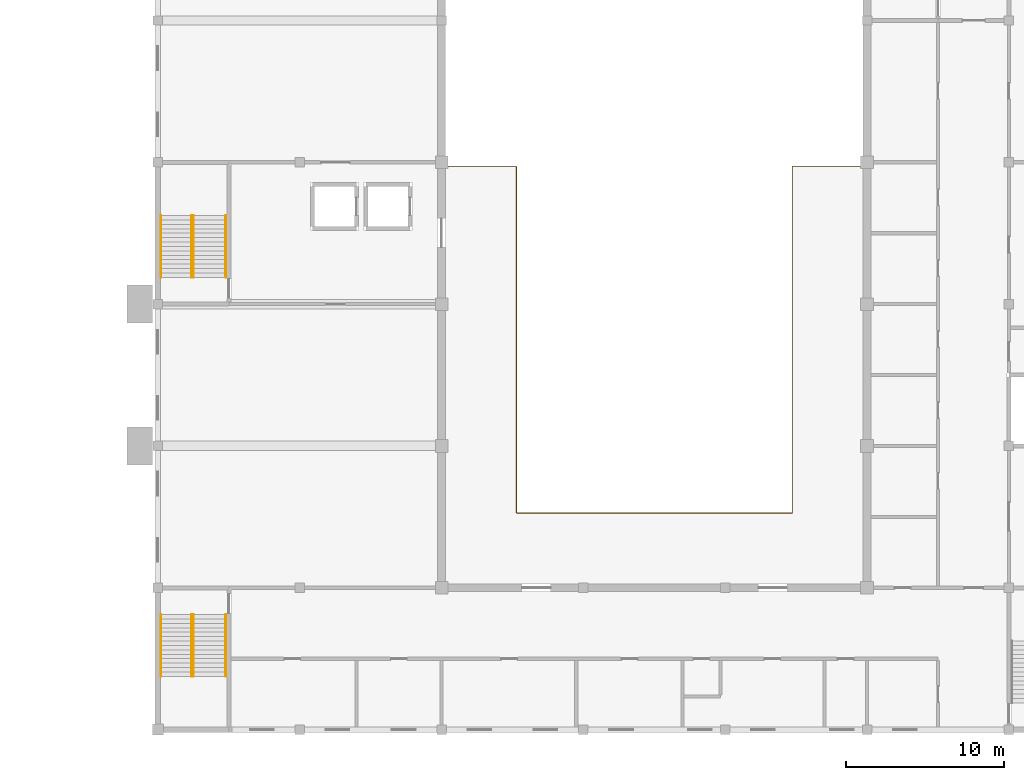
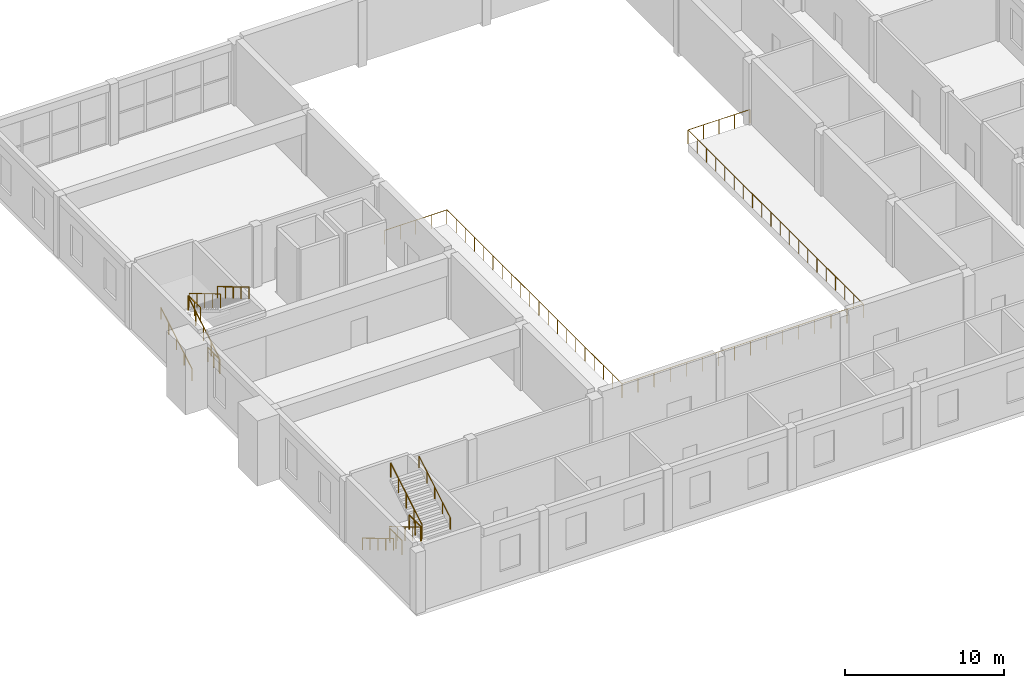
# One storey, part 31 of 34: 13 railings.
"""IFC4 building model written with IfcOpenShell, lengths in metres."""

from ifc_helpers import new_model, si_unit, direction, frame, origin, origin_2d, place, context, subcontext, project, spatial, circle, extrude, material, type_object, element, save


model = new_model("IFC4")

# Units and contexts
model_context = context("Model", 3, precision=1e-05, world=origin(), true_north=direction((0.0, 1.0)))
body_context = subcontext(model_context, "Body", "Model", "MODEL_VIEW")
ifc_project = project(units=[si_unit("LENGTHUNIT", "METRE"), si_unit("AREAUNIT", "SQUARE_METRE"), si_unit("VOLUMEUNIT", "CUBIC_METRE"), si_unit("PLANEANGLEUNIT", "RADIAN"), si_unit("MASSUNIT", "GRAM", prefix="KILO")], contexts=[model_context])

# Site, building, storey
site_placement = place(None, origin())
site = spatial("IfcSite", under=ifc_project, at=site_placement, CompositionType="ELEMENT")
building_placement = place(site_placement, origin())
building = spatial("IfcBuilding", under=site, at=building_placement, Name="Firuza Court", CompositionType="ELEMENT")
storey_placement = place(building_placement, frame((0.0, 0.0, 14.0)))
storey = spatial("IfcBuildingStorey", under=building, at=storey_placement, Name="L02", CompositionType="ELEMENT", Elevation=14.0)

# Railings
ifc_material_1 = material(Name="Steel S355", Category="steel")
railing_type_1 = type_object("IfcRailingType", Name="HALL HANDRAIL 900", PredefinedType="HANDRAIL", material=ifc_material_1)
railing_1_placement = place(storey_placement, frame((90.18994140625, -1.699951171875, 0.166748046875)))
element("IfcRailing", 1, at=railing_1_placement, inside=storey, type_object=railing_type_1, Name="Stair H1 flight 1 handrail L02", PredefinedType="HANDRAIL", context=body_context, shape_type="SweptSolid", body=[
    extrude(circle(Radius=0.02099609375, at=origin_2d()), frame((0.0, 0.0, 0.87890625), z_axis=(0.0, -0.859310244771, 0.511454693235), x_axis=(1.0, 0.0, 0.0)), (0.0, 0.0, 1.0), 4.56201171875),
    extrude(circle(Radius=0.02001953125, at=origin_2d()), origin(), (0.0, 0.0, 1.0), 0.85791015625),
    extrude(circle(Radius=0.02001953125, at=origin_2d()), frame((0.0, -0.97998046875, 0.583251953125)), (0.0, 0.0, 1.0), 0.85791015625),
    extrude(circle(Radius=0.02001953125, at=origin_2d()), frame((0.0, -1.9599609375, 1.16650390625)), (0.0, 0.0, 1.0), 0.85791015625),
    extrude(circle(Radius=0.02001953125, at=origin_2d()), frame((0.0, -2.940185546875, 1.75)), (0.0, 0.0, 1.0), 0.85791015625),
    extrude(circle(Radius=0.02001953125, at=origin_2d()), frame((0.0, -3.920166015625, 2.333251953125)), (0.0, 0.0, 1.0), 0.85791015625),
])
for number, where, name in (
    (2, (94.31005859375, -5.6201171875, 2.666748046875), "Stair H1 flight 2 handrail L02"),
    (3, (90.18994140625, 19.699951171875, 0.166748046875), "Stair H3 flight 1 handrail L02"),
):
    element("IfcRailing", number, at=place(storey_placement, frame(where)), inside=storey, type_object=railing_type_1, Name=name, PredefinedType="HANDRAIL", context=body_context, shape_type="SweptSolid", body=[
        extrude(circle(Radius=0.02099609375, at=origin_2d()), frame((0.0, 0.0, 0.87890625), z_axis=(0.0, 0.859310244771, 0.511454693235), x_axis=(-1.0, 0.0, 0.0)), (0.0, 0.0, 1.0), 4.56201171875),
        extrude(circle(Radius=0.02001953125, at=origin_2d()), origin(), (0.0, 0.0, 1.0), 0.85791015625),
        extrude(circle(Radius=0.02001953125, at=origin_2d()), frame((0.0, 0.97998046875, 0.583251953125)), (0.0, 0.0, 1.0), 0.85791015625),
        extrude(circle(Radius=0.02001953125, at=origin_2d()), frame((0.0, 1.9599609375, 1.16650390625)), (0.0, 0.0, 1.0), 0.85791015625),
        extrude(circle(Radius=0.02001953125, at=origin_2d()), frame((0.0, 2.940185546875, 1.75)), (0.0, 0.0, 1.0), 0.85791015625),
        extrude(circle(Radius=0.02001953125, at=origin_2d()), frame((0.0, 3.920166015625, 2.333251953125)), (0.0, 0.0, 1.0), 0.85791015625),
    ])
railing_2_placement = place(storey_placement, frame((94.31005859375, 23.6201171875, 2.666748046875)))
element("IfcRailing", 4, at=railing_2_placement, inside=storey, type_object=railing_type_1, Name="Stair H3 flight 2 handrail L02", PredefinedType="HANDRAIL", context=body_context, shape_type="SweptSolid", body=[
    extrude(circle(Radius=0.02099609375, at=origin_2d()), frame((0.0, 0.0, 0.87890625), z_axis=(0.0, -0.859310244771, 0.511454693235), x_axis=(1.0, 0.0, 0.0)), (0.0, 0.0, 1.0), 4.56201171875),
    extrude(circle(Radius=0.02001953125, at=origin_2d()), origin(), (0.0, 0.0, 1.0), 0.85791015625),
    extrude(circle(Radius=0.02001953125, at=origin_2d()), frame((0.0, -0.97998046875, 0.583251953125)), (0.0, 0.0, 1.0), 0.85791015625),
    extrude(circle(Radius=0.02001953125, at=origin_2d()), frame((0.0, -1.9599609375, 1.16650390625)), (0.0, 0.0, 1.0), 0.85791015625),
    extrude(circle(Radius=0.02001953125, at=origin_2d()), frame((0.0, -2.940185546875, 1.75)), (0.0, 0.0, 1.0), 0.85791015625),
    extrude(circle(Radius=0.02001953125, at=origin_2d()), frame((0.0, -3.920166015625, 2.333251953125)), (0.0, 0.0, 1.0), 0.85791015625),
])
ifc_material_2 = material(Name="Steel S355", Category="steel")
railing_type_2 = type_object("IfcRailingType", Name="HALL RAILING 1100", PredefinedType="GUARDRAIL", material=ifc_material_2)
railing_3_placement = place(storey_placement, frame((92.14990234375, -1.699951171875, 0.166748046875)))
element("IfcRailing", 5, at=railing_3_placement, inside=storey, type_object=railing_type_2, Name="Stair H1 flight 1 guard L02", PredefinedType="GUARDRAIL", context=body_context, shape_type="SweptSolid", body=[
    extrude(circle(Radius=0.02392578125, at=origin_2d()), frame((0.0, 0.0, 1.076171875), z_axis=(0.0, -0.859310244771, 0.511454693235), x_axis=(1.0, 0.0, 0.0)), (0.0, 0.0, 1.0), 4.56201171875),
    extrude(circle(Radius=0.02099609375, at=origin_2d()), origin(), (0.0, 0.0, 1.0), 1.052001953125),
    extrude(circle(Radius=0.02099609375, at=origin_2d()), frame((0.0, -0.97998046875, 0.583251953125)), (0.0, 0.0, 1.0), 1.052001953125),
    extrude(circle(Radius=0.02099609375, at=origin_2d()), frame((0.0, -1.9599609375, 1.16650390625)), (0.0, 0.0, 1.0), 1.052001953125),
    extrude(circle(Radius=0.02099609375, at=origin_2d()), frame((0.0, -2.940185546875, 1.75)), (0.0, 0.0, 1.0), 1.052001953125),
    extrude(circle(Radius=0.02099609375, at=origin_2d()), frame((0.0, -3.920166015625, 2.333251953125)), (0.0, 0.0, 1.0), 1.052001953125),
])
railing_4_placement = place(storey_placement, frame((92.25, -5.6201171875, 2.666748046875)))
element("IfcRailing", 6, at=railing_4_placement, inside=storey, type_object=railing_type_2, Name="Stair H1 flight 2 guard L02", PredefinedType="GUARDRAIL", context=body_context, shape_type="SweptSolid", body=[
    extrude(circle(Radius=0.02392578125, at=origin_2d()), frame((0.0, 0.0, 1.076171875), z_axis=(0.0, 0.859310244771, 0.511454693235), x_axis=(-1.0, 0.0, 0.0)), (0.0, 0.0, 1.0), 4.56201171875),
    extrude(circle(Radius=0.02099609375, at=origin_2d()), origin(), (0.0, 0.0, 1.0), 1.052001953125),
    extrude(circle(Radius=0.02099609375, at=origin_2d()), frame((0.0, 0.97998046875, 0.583251953125)), (0.0, 0.0, 1.0), 1.052001953125),
    extrude(circle(Radius=0.02099609375, at=origin_2d()), frame((0.0, 1.9599609375, 1.16650390625)), (0.0, 0.0, 1.0), 1.052001953125),
    extrude(circle(Radius=0.02099609375, at=origin_2d()), frame((0.0, 2.940185546875, 1.75)), (0.0, 0.0, 1.0), 1.052001953125),
    extrude(circle(Radius=0.02099609375, at=origin_2d()), frame((0.0, 3.920166015625, 2.333251953125)), (0.0, 0.0, 1.0), 1.052001953125),
])
railing_5_placement = place(storey_placement, frame((92.199951171875, -4.1201171875, 2.5)))
element("IfcRailing", 7, at=railing_5_placement, inside=storey, type_object=railing_type_2, Name="Stair H1 landing guard 1 L02", PredefinedType="GUARDRAIL", context=body_context, shape_type="SweptSolid", body=[
    extrude(circle(Radius=0.02392578125, at=origin_2d()), frame((0.0, 0.0, 1.076171875), z_axis=(0.0, -1.0, 0.0), x_axis=(1.0, 0.0, 0.0)), (0.0, 0.0, 1.0), 1.5),
    extrude(circle(Radius=0.02099609375, at=origin_2d()), origin(), (0.0, 0.0, 1.0), 1.052001953125),
    extrude(circle(Radius=0.02099609375, at=origin_2d()), frame((0.0, -0.75, 0.0)), (0.0, 0.0, 1.0), 1.052001953125),
    extrude(circle(Radius=0.02099609375, at=origin_2d()), frame((0.0, -1.5, 0.0)), (0.0, 0.0, 1.0), 1.052001953125),
])
railing_6_placement = place(storey_placement, frame((92.14990234375, 19.699951171875, 0.166748046875)))
element("IfcRailing", 8, at=railing_6_placement, inside=storey, type_object=railing_type_2, Name="Stair H3 flight 1 guard L02", PredefinedType="GUARDRAIL", context=body_context, shape_type="SweptSolid", body=[
    extrude(circle(Radius=0.02392578125, at=origin_2d()), frame((0.0, 0.0, 1.076171875), z_axis=(0.0, 0.859310244771, 0.511454693235), x_axis=(-1.0, 0.0, 0.0)), (0.0, 0.0, 1.0), 4.56201171875),
    extrude(circle(Radius=0.02099609375, at=origin_2d()), origin(), (0.0, 0.0, 1.0), 1.052001953125),
    extrude(circle(Radius=0.02099609375, at=origin_2d()), frame((0.0, 0.97998046875, 0.583251953125)), (0.0, 0.0, 1.0), 1.052001953125),
    extrude(circle(Radius=0.02099609375, at=origin_2d()), frame((0.0, 1.9599609375, 1.16650390625)), (0.0, 0.0, 1.0), 1.052001953125),
    extrude(circle(Radius=0.02099609375, at=origin_2d()), frame((0.0, 2.940185546875, 1.75)), (0.0, 0.0, 1.0), 1.052001953125),
    extrude(circle(Radius=0.02099609375, at=origin_2d()), frame((0.0, 3.920166015625, 2.333251953125)), (0.0, 0.0, 1.0), 1.052001953125),
])
railing_7_placement = place(storey_placement, frame((92.25, 23.6201171875, 2.666748046875)))
element("IfcRailing", 9, at=railing_7_placement, inside=storey, type_object=railing_type_2, Name="Stair H3 flight 2 guard L02", PredefinedType="GUARDRAIL", context=body_context, shape_type="SweptSolid", body=[
    extrude(circle(Radius=0.02392578125, at=origin_2d()), frame((0.0, 0.0, 1.076171875), z_axis=(0.0, -0.859310244771, 0.511454693235), x_axis=(1.0, 0.0, 0.0)), (0.0, 0.0, 1.0), 4.56201171875),
    extrude(circle(Radius=0.02099609375, at=origin_2d()), origin(), (0.0, 0.0, 1.0), 1.052001953125),
    extrude(circle(Radius=0.02099609375, at=origin_2d()), frame((0.0, -0.97998046875, 0.583251953125)), (0.0, 0.0, 1.0), 1.052001953125),
    extrude(circle(Radius=0.02099609375, at=origin_2d()), frame((0.0, -1.9599609375, 1.16650390625)), (0.0, 0.0, 1.0), 1.052001953125),
    extrude(circle(Radius=0.02099609375, at=origin_2d()), frame((0.0, -2.940185546875, 1.75)), (0.0, 0.0, 1.0), 1.052001953125),
    extrude(circle(Radius=0.02099609375, at=origin_2d()), frame((0.0, -3.920166015625, 2.333251953125)), (0.0, 0.0, 1.0), 1.052001953125),
])
railing_8_placement = place(storey_placement, frame((92.199951171875, 22.1201171875, 2.5)))
element("IfcRailing", 10, at=railing_8_placement, inside=storey, type_object=railing_type_2, Name="Stair H3 landing guard 1 L02", PredefinedType="GUARDRAIL", context=body_context, shape_type="SweptSolid", body=[
    extrude(circle(Radius=0.02392578125, at=origin_2d()), frame((0.0, 0.0, 1.076171875), z_axis=(0.0, 1.0, 0.0), x_axis=(-1.0, 0.0, 0.0)), (0.0, 0.0, 1.0), 1.5),
    extrude(circle(Radius=0.02099609375, at=origin_2d()), origin(), (0.0, 0.0, 1.0), 1.052001953125),
    extrude(circle(Radius=0.02099609375, at=origin_2d()), frame((0.0, 0.75, 0.0)), (0.0, 0.0, 1.0), 1.052001953125),
    extrude(circle(Radius=0.02099609375, at=origin_2d()), frame((0.0, 1.5, 0.0)), (0.0, 0.0, 1.0), 1.052001953125),
])
railing_9_placement = place(storey_placement, frame((92.199951171875, -1.699951171875, 0.0)))
element("IfcRailing", 11, at=railing_9_placement, inside=storey, type_object=railing_type_2, Name="Stair H1 floor guard L02", PredefinedType="GUARDRAIL", context=body_context, shape_type="SweptSolid", body=[
    extrude(circle(Radius=0.02392578125, at=origin_2d()), frame((0.0, 0.0, 1.076171875), z_axis=(0.0, -1.0, 0.0), x_axis=(1.0, 0.0, 0.0)), (0.0, 0.0, 1.0), 1.5),
    extrude(circle(Radius=0.02099609375, at=origin_2d()), origin(), (0.0, 0.0, 1.0), 1.052001953125),
    extrude(circle(Radius=0.02099609375, at=origin_2d()), frame((0.0, -0.75, 0.0)), (0.0, 0.0, 1.0), 1.052001953125),
    extrude(circle(Radius=0.02099609375, at=origin_2d()), frame((0.0, -1.5, 0.0)), (0.0, 0.0, 1.0), 1.052001953125),
])
railing_10_placement = place(storey_placement, frame((92.199951171875, 19.699951171875, 0.0)))
element("IfcRailing", 12, at=railing_10_placement, inside=storey, type_object=railing_type_2, Name="Stair H3 floor guard L02", PredefinedType="GUARDRAIL", context=body_context, shape_type="SweptSolid", body=[
    extrude(circle(Radius=0.02392578125, at=origin_2d()), frame((0.0, 0.0, 1.076171875), z_axis=(0.0, 1.0, 0.0), x_axis=(-1.0, 0.0, 0.0)), (0.0, 0.0, 1.0), 1.5),
    extrude(circle(Radius=0.02099609375, at=origin_2d()), origin(), (0.0, 0.0, 1.0), 1.052001953125),
    extrude(circle(Radius=0.02099609375, at=origin_2d()), frame((0.0, 0.75, 0.0)), (0.0, 0.0, 1.0), 1.052001953125),
    extrude(circle(Radius=0.02099609375, at=origin_2d()), frame((0.0, 1.5, 0.0)), (0.0, 0.0, 1.0), 1.052001953125),
])
railing_11_placement = place(storey_placement, frame((108.25, 26.75, 0.0)))
element("IfcRailing", 13, at=railing_11_placement, inside=storey, type_object=railing_type_2, Name="Balcony guard L02", PredefinedType="GUARDRAIL", context=body_context, shape_type="SweptSolid", body=[
    extrude(circle(Radius=0.02392578125, at=origin_2d()), frame((0.0, 0.0, 1.076171875), z_axis=(1.0, 0.0, 0.0), x_axis=(0.0, 1.0, 0.0)), (0.0, 0.0, 1.0), 4.5),
    extrude(circle(Radius=0.02392578125, at=origin_2d()), frame((4.5, 0.0, 1.076171875), z_axis=(0.0, -1.0, 0.0), x_axis=(1.0, 0.0, 0.0)), (0.0, 0.0, 1.0), 22.0),
    extrude(circle(Radius=0.02392578125, at=origin_2d()), frame((4.5, -22.0, 1.076171875), z_axis=(1.0, 0.0, 0.0), x_axis=(0.0, 1.0, 0.0)), (0.0, 0.0, 1.0), 17.5),
    extrude(circle(Radius=0.02392578125, at=origin_2d()), frame((22.0, -22.0, 1.076171875), z_axis=(0.0, 1.0, 0.0), x_axis=(-1.0, 0.0, 0.0)), (0.0, 0.0, 1.0), 22.0),
    extrude(circle(Radius=0.02392578125, at=origin_2d()), frame((22.0, 0.0, 1.076171875), z_axis=(1.0, 0.0, 0.0), x_axis=(0.0, 1.0, 0.0)), (0.0, 0.0, 1.0), 4.5),
    extrude(circle(Radius=0.02099609375, at=origin_2d()), origin(), (0.0, 0.0, 1.0), 1.052001953125),
    extrude(circle(Radius=0.02099609375, at=origin_2d()), frame((1.125, 0.0, 0.0)), (0.0, 0.0, 1.0), 1.052001953125),
    extrude(circle(Radius=0.02099609375, at=origin_2d()), frame((2.25, 0.0, 0.0)), (0.0, 0.0, 1.0), 1.052001953125),
    extrude(circle(Radius=0.02099609375, at=origin_2d()), frame((3.375, 0.0, 0.0)), (0.0, 0.0, 1.0), 1.052001953125),
    extrude(circle(Radius=0.02099609375, at=origin_2d()), frame((4.5, 0.0, 0.0)), (0.0, 0.0, 1.0), 1.052001953125),
    extrude(circle(Radius=0.02099609375, at=origin_2d()), frame((4.5, -1.157958984375, 0.0)), (0.0, 0.0, 1.0), 1.052001953125),
    extrude(circle(Radius=0.02099609375, at=origin_2d()), frame((4.5, -2.315673828125, 0.0)), (0.0, 0.0, 1.0), 1.052001953125),
    extrude(circle(Radius=0.02099609375, at=origin_2d()), frame((4.5, -3.4736328125, 0.0)), (0.0, 0.0, 1.0), 1.052001953125),
    extrude(circle(Radius=0.02099609375, at=origin_2d()), frame((4.5, -4.631591796875, 0.0)), (0.0, 0.0, 1.0), 1.052001953125),
    extrude(circle(Radius=0.02099609375, at=origin_2d()), frame((4.5, -5.78955078125, 0.0)), (0.0, 0.0, 1.0), 1.052001953125),
    extrude(circle(Radius=0.02099609375, at=origin_2d()), frame((4.5, -6.947265625, 0.0)), (0.0, 0.0, 1.0), 1.052001953125),
    extrude(circle(Radius=0.02099609375, at=origin_2d()), frame((4.5, -8.105224609375, 0.0)), (0.0, 0.0, 1.0), 1.052001953125),
    extrude(circle(Radius=0.02099609375, at=origin_2d()), frame((4.5, -9.26318359375, 0.0)), (0.0, 0.0, 1.0), 1.052001953125),
    extrude(circle(Radius=0.02099609375, at=origin_2d()), frame((4.5, -10.421142578125, 0.0)), (0.0, 0.0, 1.0), 1.052001953125),
    extrude(circle(Radius=0.02099609375, at=origin_2d()), frame((4.5, -11.578857421875, 0.0)), (0.0, 0.0, 1.0), 1.052001953125),
    extrude(circle(Radius=0.02099609375, at=origin_2d()), frame((4.5, -12.73681640625, 0.0)), (0.0, 0.0, 1.0), 1.052001953125),
    extrude(circle(Radius=0.02099609375, at=origin_2d()), frame((4.5, -13.894775390625, 0.0)), (0.0, 0.0, 1.0), 1.052001953125),
    extrude(circle(Radius=0.02099609375, at=origin_2d()), frame((4.5, -15.052734375, 0.0)), (0.0, 0.0, 1.0), 1.052001953125),
    extrude(circle(Radius=0.02099609375, at=origin_2d()), frame((4.5, -16.21044921875, 0.0)), (0.0, 0.0, 1.0), 1.052001953125),
    extrude(circle(Radius=0.02099609375, at=origin_2d()), frame((4.5, -17.368408203125, 0.0)), (0.0, 0.0, 1.0), 1.052001953125),
    extrude(circle(Radius=0.02099609375, at=origin_2d()), frame((4.5, -18.5263671875, 0.0)), (0.0, 0.0, 1.0), 1.052001953125),
    extrude(circle(Radius=0.02099609375, at=origin_2d()), frame((4.5, -19.684326171875, 0.0)), (0.0, 0.0, 1.0), 1.052001953125),
    extrude(circle(Radius=0.02099609375, at=origin_2d()), frame((4.5, -20.842041015625, 0.0)), (0.0, 0.0, 1.0), 1.052001953125),
    extrude(circle(Radius=0.02099609375, at=origin_2d()), frame((4.5, -22.0, 0.0)), (0.0, 0.0, 1.0), 1.052001953125),
    extrude(circle(Radius=0.02099609375, at=origin_2d()), frame((5.666748046875, -22.0, 0.0)), (0.0, 0.0, 1.0), 1.052001953125),
    extrude(circle(Radius=0.02099609375, at=origin_2d()), frame((6.833251953125, -22.0, 0.0)), (0.0, 0.0, 1.0), 1.052001953125),
    extrude(circle(Radius=0.02099609375, at=origin_2d()), frame((8.0, -22.0, 0.0)), (0.0, 0.0, 1.0), 1.052001953125),
    extrude(circle(Radius=0.02099609375, at=origin_2d()), frame((9.166748046875, -22.0, 0.0)), (0.0, 0.0, 1.0), 1.052001953125),
    extrude(circle(Radius=0.02099609375, at=origin_2d()), frame((10.333251953125, -22.0, 0.0)), (0.0, 0.0, 1.0), 1.052001953125),
    extrude(circle(Radius=0.02099609375, at=origin_2d()), frame((11.5, -22.0, 0.0)), (0.0, 0.0, 1.0), 1.052001953125),
    extrude(circle(Radius=0.02099609375, at=origin_2d()), frame((12.666748046875, -22.0, 0.0)), (0.0, 0.0, 1.0), 1.052001953125),
    extrude(circle(Radius=0.02099609375, at=origin_2d()), frame((13.833251953125, -22.0, 0.0)), (0.0, 0.0, 1.0), 1.052001953125),
    extrude(circle(Radius=0.02099609375, at=origin_2d()), frame((15.0, -22.0, 0.0)), (0.0, 0.0, 1.0), 1.052001953125),
    extrude(circle(Radius=0.02099609375, at=origin_2d()), frame((16.166748046875, -22.0, 0.0)), (0.0, 0.0, 1.0), 1.052001953125),
    extrude(circle(Radius=0.02099609375, at=origin_2d()), frame((17.333251953125, -22.0, 0.0)), (0.0, 0.0, 1.0), 1.052001953125),
    extrude(circle(Radius=0.02099609375, at=origin_2d()), frame((18.5, -22.0, 0.0)), (0.0, 0.0, 1.0), 1.052001953125),
    extrude(circle(Radius=0.02099609375, at=origin_2d()), frame((19.666748046875, -22.0, 0.0)), (0.0, 0.0, 1.0), 1.052001953125),
    extrude(circle(Radius=0.02099609375, at=origin_2d()), frame((20.833251953125, -22.0, 0.0)), (0.0, 0.0, 1.0), 1.052001953125),
    extrude(circle(Radius=0.02099609375, at=origin_2d()), frame((22.0, -22.0, 0.0)), (0.0, 0.0, 1.0), 1.052001953125),
    extrude(circle(Radius=0.02099609375, at=origin_2d()), frame((22.0, -20.842041015625, 0.0)), (0.0, 0.0, 1.0), 1.052001953125),
    extrude(circle(Radius=0.02099609375, at=origin_2d()), frame((22.0, -19.684326171875, 0.0)), (0.0, 0.0, 1.0), 1.052001953125),
    extrude(circle(Radius=0.02099609375, at=origin_2d()), frame((22.0, -18.5263671875, 0.0)), (0.0, 0.0, 1.0), 1.052001953125),
    extrude(circle(Radius=0.02099609375, at=origin_2d()), frame((22.0, -17.368408203125, 0.0)), (0.0, 0.0, 1.0), 1.052001953125),
    extrude(circle(Radius=0.02099609375, at=origin_2d()), frame((22.0, -16.21044921875, 0.0)), (0.0, 0.0, 1.0), 1.052001953125),
    extrude(circle(Radius=0.02099609375, at=origin_2d()), frame((22.0, -15.052734375, 0.0)), (0.0, 0.0, 1.0), 1.052001953125),
    extrude(circle(Radius=0.02099609375, at=origin_2d()), frame((22.0, -13.894775390625, 0.0)), (0.0, 0.0, 1.0), 1.052001953125),
    extrude(circle(Radius=0.02099609375, at=origin_2d()), frame((22.0, -12.73681640625, 0.0)), (0.0, 0.0, 1.0), 1.052001953125),
    extrude(circle(Radius=0.02099609375, at=origin_2d()), frame((22.0, -11.578857421875, 0.0)), (0.0, 0.0, 1.0), 1.052001953125),
    extrude(circle(Radius=0.02099609375, at=origin_2d()), frame((22.0, -10.421142578125, 0.0)), (0.0, 0.0, 1.0), 1.052001953125),
    extrude(circle(Radius=0.02099609375, at=origin_2d()), frame((22.0, -9.26318359375, 0.0)), (0.0, 0.0, 1.0), 1.052001953125),
    extrude(circle(Radius=0.02099609375, at=origin_2d()), frame((22.0, -8.105224609375, 0.0)), (0.0, 0.0, 1.0), 1.052001953125),
    extrude(circle(Radius=0.02099609375, at=origin_2d()), frame((22.0, -6.947265625, 0.0)), (0.0, 0.0, 1.0), 1.052001953125),
    extrude(circle(Radius=0.02099609375, at=origin_2d()), frame((22.0, -5.78955078125, 0.0)), (0.0, 0.0, 1.0), 1.052001953125),
    extrude(circle(Radius=0.02099609375, at=origin_2d()), frame((22.0, -4.631591796875, 0.0)), (0.0, 0.0, 1.0), 1.052001953125),
    extrude(circle(Radius=0.02099609375, at=origin_2d()), frame((22.0, -3.4736328125, 0.0)), (0.0, 0.0, 1.0), 1.052001953125),
    extrude(circle(Radius=0.02099609375, at=origin_2d()), frame((22.0, -2.315673828125, 0.0)), (0.0, 0.0, 1.0), 1.052001953125),
    extrude(circle(Radius=0.02099609375, at=origin_2d()), frame((22.0, -1.157958984375, 0.0)), (0.0, 0.0, 1.0), 1.052001953125),
    extrude(circle(Radius=0.02099609375, at=origin_2d()), frame((22.0, 0.0, 0.0)), (0.0, 0.0, 1.0), 1.052001953125),
    extrude(circle(Radius=0.02099609375, at=origin_2d()), frame((23.125, 0.0, 0.0)), (0.0, 0.0, 1.0), 1.052001953125),
    extrude(circle(Radius=0.02099609375, at=origin_2d()), frame((24.25, 0.0, 0.0)), (0.0, 0.0, 1.0), 1.052001953125),
    extrude(circle(Radius=0.02099609375, at=origin_2d()), frame((25.375, 0.0, 0.0)), (0.0, 0.0, 1.0), 1.052001953125),
    extrude(circle(Radius=0.02099609375, at=origin_2d()), frame((26.5, 0.0, 0.0)), (0.0, 0.0, 1.0), 1.052001953125),
])

save(model, "model.ifc")
